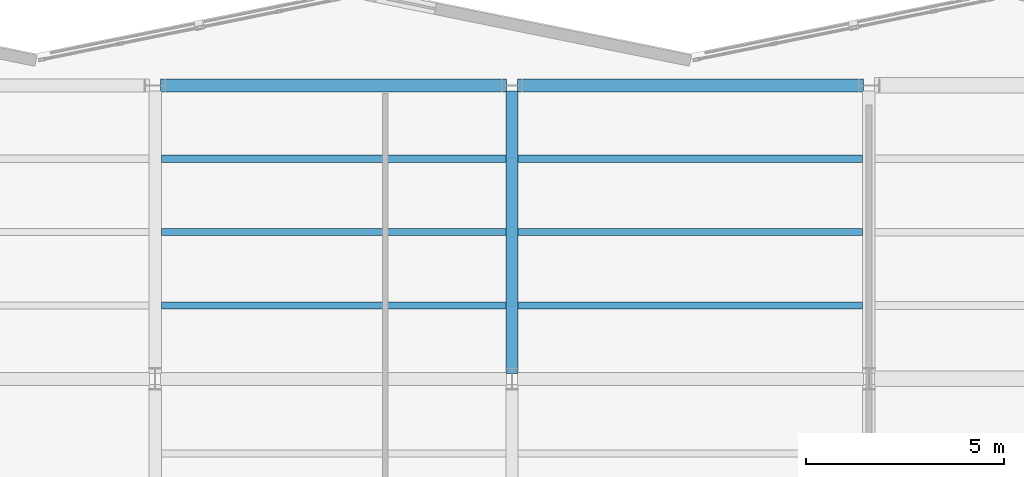
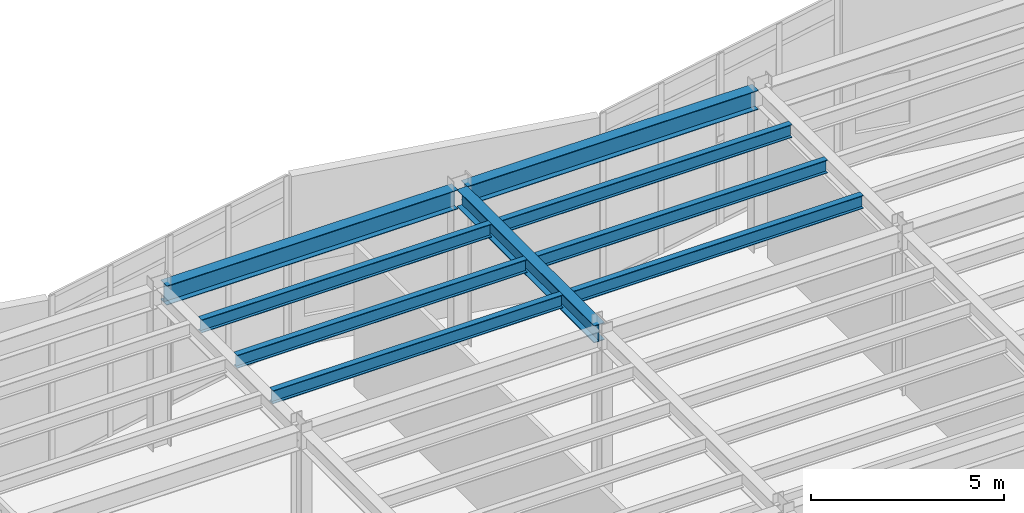
# One storey, part 63 of 98: 9 beams.
"""IFC4 building model written with IfcOpenShell, lengths in metres."""

import ifcopenshell
import ifcopenshell.guid

model = None  # the IFC model being written
_history = None  # IfcOwnerHistory: only IFC2X3 demands one
_inside = {}  # id of a spatial element -> (the spatial element, [elements in it])
_under = {}  # id of a project, library or spatial element -> (it, [spatial elements below it])
_declared = {}  # id of a project -> (the project, [libraries it declares])
_typed = {}  # id of a type object -> (the type object, [elements of that type])
_made_of = {}  # id of a material, layer set ... -> (it, [elements and type objects made of it])


def new_model(schema):
    """Start an empty IFC model of exactly this schema.

    Asked for "IFC4X3", IfcOpenShell would pick the latest addendum, in which some entities
    have other attributes; the version numbers below select the first issue.
    IFC2X3 requires an IfcOwnerHistory on every rooted entity: one is made here for all.
    """
    global model, _history
    if schema == "IFC4X3":
        model = ifcopenshell.file(schema_version=(4, 3, 0, 0))
    else:
        model = ifcopenshell.file(schema=schema)
    _inside.clear()
    _under.clear()
    _declared.clear()
    _typed.clear()
    _made_of.clear()
    _history = None
    if model.schema == "IFC2X3":
        org = make("IfcOrganization", Name="unknown")
        user = make(
            "IfcPersonAndOrganization",
            ThePerson=make("IfcPerson", FamilyName="unknown"),
            TheOrganization=org,
        )
        app = make(
            "IfcApplication",
            ApplicationDeveloper=org,
            Version="unknown",
            ApplicationFullName="unknown",
            ApplicationIdentifier="unknown",
        )
        _history = make(
            "IfcOwnerHistory",
            OwningUser=user,
            OwningApplication=app,
            ChangeAction="ADDED",
            CreationDate=0,
        )
    return model


def make(cls, **values):
    """One entity of the class cls with the attributes given. An attribute that is None is left unset."""
    return model.create_entity(
        cls, **{name: value for name, value in values.items() if value is not None}
    )


def rooted(cls, **values):
    """An entity with a GlobalId (a new one), such as an element, a storey or a relation."""
    return make(cls, GlobalId=ifcopenshell.guid.new(), OwnerHistory=_history, **values)


def si_unit(unit_type, name, prefix=None):
    """IfcSIUnit, for example si_unit("LENGTHUNIT", "METRE", prefix="MILLI")."""
    return make("IfcSIUnit", UnitType=unit_type, Prefix=prefix, Name=name)


def assignment(units):
    """IfcUnitAssignment: the units of a project."""
    return None if units is None else make("IfcUnitAssignment", Units=units)


def point(xyz):
    """IfcCartesianPoint."""
    return None if xyz is None else make("IfcCartesianPoint", Coordinates=xyz)


def direction(xyz):
    """IfcDirection."""
    return None if xyz is None else make("IfcDirection", DirectionRatios=xyz)


def frame(location, z_axis=None, x_axis=None):
    """IfcAxis2Placement3D, a coordinate frame: its origin and axes. An axis left out is left unset."""
    return make(
        "IfcAxis2Placement3D",
        Location=point(location),
        Axis=direction(z_axis),
        RefDirection=direction(x_axis),
    )


def frame_2d(location, x_axis=None):
    """IfcAxis2Placement2D, a coordinate frame in the plane: its origin and x axis."""
    return make(
        "IfcAxis2Placement2D", Location=point(location), RefDirection=direction(x_axis)
    )


def origin():
    """The frame at (0, 0, 0) with its axes left unset."""
    return frame((0.0, 0.0, 0.0))


def origin_2d():
    """The frame at (0, 0) in the plane with its x axis left unset."""
    return frame_2d((0.0, 0.0))


def place(relative_to, where):
    """IfcLocalPlacement: puts the frame where relative to a parent placement (None: the world)."""
    return make(
        "IfcLocalPlacement", PlacementRelTo=relative_to, RelativePlacement=where
    )


def context(
    kind, dimensions, precision=None, world=None, true_north=None, identifier=None
):
    """IfcGeometricRepresentationContext, for example the 3D "Model" context."""
    return make(
        "IfcGeometricRepresentationContext",
        ContextIdentifier=identifier,
        ContextType=kind,
        CoordinateSpaceDimension=dimensions,
        Precision=precision,
        WorldCoordinateSystem=world,
        TrueNorth=true_north,
    )


def subcontext(parent, identifier, kind, view, scale=None):
    """IfcGeometricRepresentationSubContext, for example "Body" below "Model"."""
    return make(
        "IfcGeometricRepresentationSubContext",
        ContextIdentifier=identifier,
        ContextType=kind,
        ParentContext=parent,
        TargetScale=scale,
        TargetView=view,
    )


def project(units=None, contexts=None):
    """IfcProject with its units and contexts."""
    return rooted(
        "IfcProject",
        Name="project",
        RepresentationContexts=contexts,
        UnitsInContext=assignment(units),
    )


def spatial(cls, under=None, at=None, **own):
    """A site, building, storey or space (cls), placed at a placement, below another one or the project."""
    s = rooted(cls, ObjectPlacement=at, **own)
    if under is not None:
        _under.setdefault(under.id(), (under, []))[1].append(s)
    return s


def profile(cls, at=None, kind="AREA", **sizes):
    """A parametric profile (cls). Its sizes go by their IFC names, for example OverallWidth=200.0."""
    return make(cls, ProfileType=kind, Position=at, **sizes)


def i_section(**sizes):
    """IfcIShapeProfileDef."""
    return profile("IfcIShapeProfileDef", **sizes)


def extrude(swept, where, along, depth):
    """IfcExtrudedAreaSolid: the profile swept, set in the frame where, extruded along a direction by depth."""
    return make(
        "IfcExtrudedAreaSolid",
        SweptArea=swept,
        Position=where,
        ExtrudedDirection=direction(along),
        Depth=depth,
    )


def shape(context_of_items, identifier, shape_type, items):
    """IfcShapeRepresentation: the items that make up one representation, for example the "Body"."""
    return make(
        "IfcShapeRepresentation",
        ContextOfItems=context_of_items,
        RepresentationIdentifier=identifier,
        RepresentationType=shape_type,
        Items=items,
    )


def material(Name=None, Category=None):
    """IfcMaterial."""
    return make("IfcMaterial", Name=Name, Category=Category)


def material_profile(
    of_material, cross_section, Name=None, Category=None, Priority=None
):
    """IfcMaterialProfile: a cross section and its material."""
    return make(
        "IfcMaterialProfile",
        Name=Name,
        Material=of_material,
        Profile=cross_section,
        Priority=Priority,
        Category=Category,
    )


def profile_set(profiles, Name=None, composite=None):
    """IfcMaterialProfileSet."""
    return make(
        "IfcMaterialProfileSet",
        Name=Name,
        MaterialProfiles=profiles,
        CompositeProfile=composite,
    )


def made_of(thing, what):
    """Note that an element or type object is made of a material, layer set ...; save() writes the relation."""
    if what is not None:
        _made_of.setdefault(what.id(), (what, []))[1].append(thing)
    return thing


def type_object(cls, material=None, **own):
    """A type object (cls), such as IfcWallType, which elements share."""
    return made_of(rooted(cls, **own), material)


def element(
    cls,
    number,
    at=None,
    inside=None,
    cuts=None,
    type_object=None,
    material=None,
    context=None,
    identifier="Body",
    shape_type=None,
    held_by="IfcProductDefinitionShape",
    body=None,
    shapes=None,
    **own,
):
    """One element of the class cls, such as IfcWall. Its Tag is "e" and its number.

    at: its placement. inside: the storey or other place that contains it. cuts: it is an
    opening in that element (IfcRelVoidsElement). A single representation is given by context,
    identifier, shape_type and body (its items); several are given by shapes. held_by: the class
    of the entity that holds the representations. save() writes the other relations.
    """
    e = rooted(cls, Tag="e%d" % number, ObjectPlacement=at, **own)
    if body is not None:
        shapes = [shape(context, identifier, shape_type, body)]
    if shapes is not None:
        e.Representation = make(held_by, Representations=shapes)
    if inside is not None:
        _inside.setdefault(inside.id(), (inside, []))[1].append(e)
    if cuts is not None:
        rooted(
            "IfcRelVoidsElement", RelatingBuildingElement=cuts, RelatedOpeningElement=e
        )
    if type_object is not None:
        _typed.setdefault(type_object.id(), (type_object, []))[1].append(e)
    return made_of(e, material)


def aggregate(whole, parts):
    """IfcRelAggregates: a whole, such as a stair, and the parts it consists of."""
    return rooted("IfcRelAggregates", RelatingObject=whole, RelatedObjects=parts)


def save(model, path):
    """Write the relations noted so far, then the file.

    IfcRelAggregates (storeys below a building ...), IfcRelContainedInSpatialStructure (elements
    in a storey), IfcRelDefinesByType, IfcRelAssociatesMaterial and IfcRelDeclares: one each for
    every whole, place, type object, material and project.
    """
    for whole, parts in _under.values():
        aggregate(whole, parts)
    for where, things in _inside.values():
        rooted(
            "IfcRelContainedInSpatialStructure",
            RelatedElements=things,
            RelatingStructure=where,
        )
    for kind, things in _typed.values():
        rooted("IfcRelDefinesByType", RelatedObjects=things, RelatingType=kind)
    for what, things in _made_of.values():
        rooted("IfcRelAssociatesMaterial", RelatedObjects=things, RelatingMaterial=what)
    for by, libraries in _declared.values():
        rooted("IfcRelDeclares", RelatingContext=by, RelatedDefinitions=libraries)
    model.write(path)


model = new_model("IFC4")

# Units and contexts
model_context = context("Model", 3, precision=1e-05, world=origin(), true_north=direction((0.0, 1.0)))
body_context = subcontext(model_context, "Body", "Model", "MODEL_VIEW")
ifc_project = project(units=[si_unit("LENGTHUNIT", "METRE"), si_unit("AREAUNIT", "SQUARE_METRE"), si_unit("VOLUMEUNIT", "CUBIC_METRE"), si_unit("PLANEANGLEUNIT", "RADIAN"), si_unit("MASSUNIT", "GRAM", prefix="KILO")], contexts=[model_context])

# Site, building, storey
site_placement = place(None, origin())
site = spatial("IfcSite", under=ifc_project, at=site_placement, CompositionType="ELEMENT")
building_placement = place(site_placement, origin())
building = spatial("IfcBuilding", under=site, at=building_placement, Name="Sollismere Congress Hotel", CompositionType="ELEMENT")
storey_placement = place(building_placement, frame((0.0, 0.0, 5.39990234375)))
storey = spatial("IfcBuildingStorey", under=building, at=storey_placement, Name="L01", CompositionType="ELEMENT", Elevation=5.39990234375)

# Beams
ifc_material = material(Name="Steel ASTM A992 Grade 50", Category="steel")
ifc_material_profile_1 = material_profile(ifc_material, i_section(OverallWidth=0.31494140625, OverallDepth=0.551025390625, WebThickness=0.01513671875, FlangeThickness=0.0244140625, at=origin_2d()), Name="W21X122")
ifc_profile_set_1 = profile_set([ifc_material_profile_1], Name="Steel ASTM A992 Grade 50")
beam_type_1 = type_object("IfcBeamType", Name="BM-G21H", PredefinedType="BEAM", material=ifc_profile_set_1)
beam_placement = place(storey_placement, frame((103.0, 95.139892578125, 4.844482421875), z_axis=(0.0, 1.0, 0.0), x_axis=(-1.0, 0.0, 0.0)))
element("IfcBeam", 1, at=beam_placement, inside=storey, type_object=beam_type_1, Name="Beam BM-L01-1678", PredefinedType="BEAM", context=body_context, shape_type="SweptSolid", body=[
    extrude(i_section(OverallWidth=0.31494140625, OverallDepth=0.551025390625, WebThickness=0.01513671875, FlangeThickness=0.0244140625, at=origin_2d()), origin(), (0.0, 0.0, 1.0), 7.1201171875),
])
ifc_material_profile_2 = material_profile(ifc_material, i_section(OverallWidth=0.324951171875, OverallDepth=0.612060546875, WebThickness=0.0126953125, FlangeThickness=0.01904296875, at=origin_2d()), Name="W24X104")
ifc_profile_set_2 = profile_set([ifc_material_profile_2], Name="Steel ASTM A992 Grade 50")
beam_type_2 = type_object("IfcBeamType", Name="BM-G24", PredefinedType="BEAM", material=ifc_profile_set_2)
for number, where, z_axis, x_axis, name in (
    (2, (94.139892578125, 102.39990234375, 4.814208984375), (1.0, 0.0, 0.0), (0.0, 1.0, 0.0), "Beam BM-L01-1620"),
    (3, (103.139892578125, 102.39990234375, 4.814208984375), (1.0, 0.0, 0.0), (0.0, 1.0, 0.0), "Beam BM-L01-1621"),
):
    element("IfcBeam", number, at=place(storey_placement, frame(where, z_axis=z_axis, x_axis=x_axis)), inside=storey, type_object=beam_type_2, Name=name, PredefinedType="BEAM", context=body_context, shape_type="SweptSolid", body=[
        extrude(i_section(OverallWidth=0.324951171875, OverallDepth=0.612060546875, WebThickness=0.0126953125, FlangeThickness=0.01904296875, at=origin_2d()), origin(), (0.0, 0.0, 1.0), 8.72021484375),
    ])
ifc_material_profile_3 = material_profile(ifc_material, i_section(OverallWidth=0.180908203125, OverallDepth=0.4169921875, WebThickness=0.010986328125, FlangeThickness=0.018310546875, at=origin_2d()), Name="W16X57")
ifc_profile_set_3 = profile_set([ifc_material_profile_3], Name="Steel ASTM A992 Grade 50")
beam_type_3 = type_object("IfcBeamType", Name="BM-J16", PredefinedType="JOIST", material=ifc_profile_set_3)
for number, where, z_axis, x_axis, name in (
    (4, (94.157470703125, 96.85009765625, 4.91162109375), (1.0, 0.0, 0.0), (0.0, 1.0, 0.0), "Beam BM-L01-1839"),
    (5, (94.157470703125, 98.699951171875, 4.91162109375), (1.0, 0.0, 0.0), (0.0, 1.0, 0.0), "Beam BM-L01-1840"),
    (6, (94.157470703125, 100.550048828125, 4.91162109375), (1.0, 0.0, 0.0), (0.0, 1.0, 0.0), "Beam BM-L01-1841"),
    (7, (103.157470703125, 96.85009765625, 4.91162109375), (1.0, 0.0, 0.0), (0.0, 1.0, 0.0), "Beam BM-L01-1858"),
    (8, (103.157470703125, 98.699951171875, 4.91162109375), (1.0, 0.0, 0.0), (0.0, 1.0, 0.0), "Beam BM-L01-1859"),
    (9, (103.157470703125, 100.550048828125, 4.91162109375), (1.0, 0.0, 0.0), (0.0, 1.0, 0.0), "Beam BM-L01-1860"),
):
    element("IfcBeam", number, at=place(storey_placement, frame(where, z_axis=z_axis, x_axis=x_axis)), inside=storey, type_object=beam_type_3, Name=name, PredefinedType="JOIST", context=body_context, shape_type="SweptSolid", body=[
        extrude(i_section(OverallWidth=0.180908203125, OverallDepth=0.4169921875, WebThickness=0.010986328125, FlangeThickness=0.018310546875, at=origin_2d()), origin(), (0.0, 0.0, 1.0), 8.68505859375),
    ])

save(model, "model.ifc")
